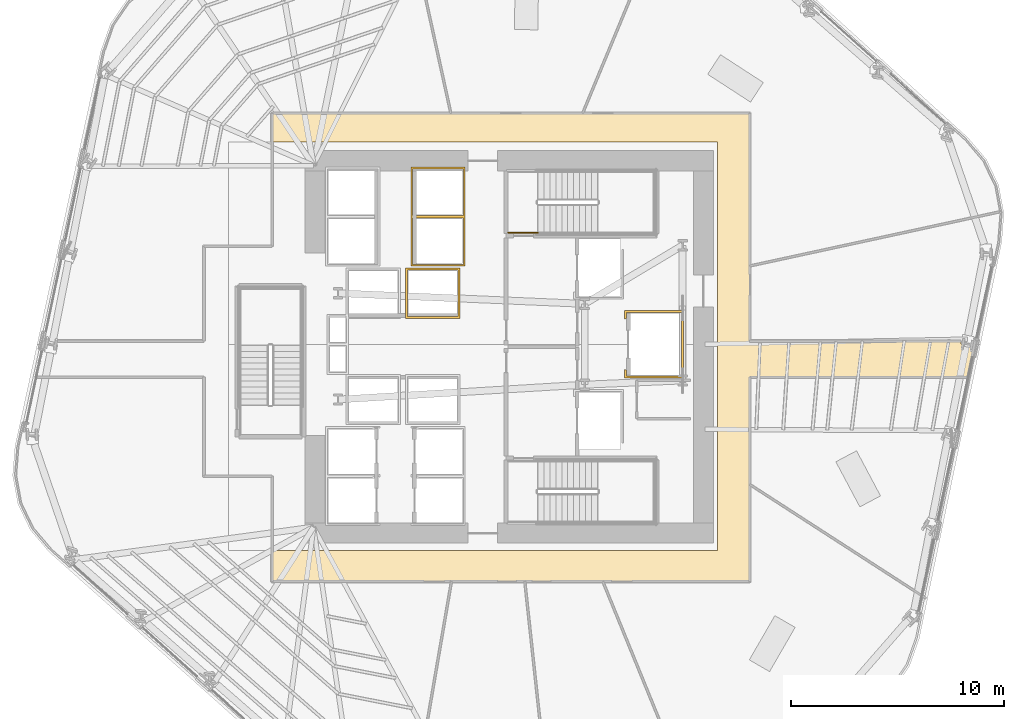
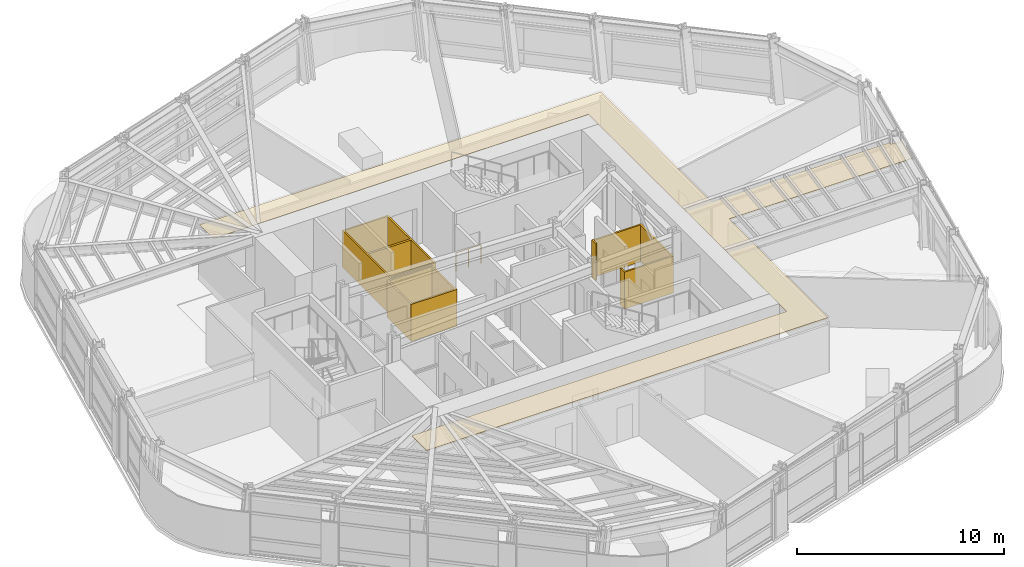
# One storey, part 13 of 16: 4 coverings, 1 railing.
"""IFC4 building model written with IfcOpenShell, lengths in metres."""

from ifc_helpers import new_model, si_unit, direction, frame, origin, origin_2d, place, context, subcontext, project, spatial, polyline, circle, outline, extrude, material, layer, layer_set, type_object, element, save


model = new_model("IFC4")

# Units and contexts
model_context = context("Model", 3, precision=1e-05, world=origin(), true_north=direction((0.0, 1.0)))
body_context = subcontext(model_context, "Body", "Model", "MODEL_VIEW")
ifc_project = project(units=[si_unit("LENGTHUNIT", "METRE"), si_unit("AREAUNIT", "SQUARE_METRE"), si_unit("VOLUMEUNIT", "CUBIC_METRE"), si_unit("PLANEANGLEUNIT", "RADIAN"), si_unit("MASSUNIT", "GRAM", prefix="KILO")], contexts=[model_context])

# Site, building, storey
site_placement = place(None, origin())
site = spatial("IfcSite", under=ifc_project, at=site_placement, CompositionType="ELEMENT")
building_placement = place(site_placement, origin())
building = spatial("IfcBuilding", under=site, at=building_placement, Name="Valkerne Bourse Tower", CompositionType="ELEMENT")
storey_placement = place(building_placement, frame((0.0, 0.0, 101.0)))
storey = spatial("IfcBuildingStorey", under=building, at=storey_placement, Name="L25", CompositionType="ELEMENT", Elevation=101.0)

# Coverings
ifc_material_1 = material(Name="Bronze Anodised Aluminium AA 6063-T6", Category="aluminium")
ifc_layer_1 = layer(ifc_material_1, 0.030029296875)
ifc_layer_set_1 = layer_set([ifc_layer_1], Name="Bronze Anodised Aluminium AA 6063-T6")
covering_type_1 = type_object("IfcCoveringType", Name="COV-CEIL-METAL", PredefinedType="CEILING", material=ifc_layer_set_1)
covering_1_placement = place(storey_placement, frame((0.0, 0.0, 3.22998046875)))
element("IfcCovering", 1, at=covering_1_placement, inside=storey, type_object=covering_type_1, Name="L25 Suspended Ceiling 01", PredefinedType="CEILING", context=body_context, shape_type="SweptSolid", body=[
    extrude(outline(polyline([(68.052001953125, 27.14599609375), (68.02734375, 27.029296875), (68.02734375, 27.02587890625), (68.554931640625, 26.916259765625), (68.60302734375, 27.14599609375), (68.69580078125, 27.14599609375), (68.34375, 25.4541015625), (58.095947265625, 25.4541015625), (58.095947265625, 15.85400390625), (35.654052734375, 15.85400390625), (35.654052734375, 17.300048828125), (56.60009765625, 17.300048828125), (56.60009765625, 36.5), (35.654052734375, 36.5), (35.654052734375, 37.845947265625), (58.095947265625, 37.845947265625), (58.095947265625, 27.14599609375), (68.052001953125, 27.14599609375)])), origin(), (0.0, 0.0, 1.0), 0.02490234375),
])
ifc_material_2 = material(Name="Gypsum Shaftwall Liner Board", Category="gypsum")
ifc_layer_2 = layer(ifc_material_2, 0.080078125)
ifc_layer_set_2 = layer_set([ifc_layer_2], Name="Gypsum Shaftwall Liner Board")
covering_type_2 = type_object("IfcCoveringType", Name="COV-SHF-CLAD", PredefinedType="CLADDING", material=ifc_layer_set_2)
covering_2_placement = place(storey_placement, origin())
element("IfcCovering", 2, at=covering_2_placement, inside=storey, type_object=covering_type_2, Name="L25 Hoistway & Riser Shaftwall Liner 08", PredefinedType="CLADDING", context=body_context, shape_type="SweptSolid", body=[
    extrude(outline(polyline([(54.97998046875, 25.419921875), (52.219970703125, 25.419921875), (52.219970703125, 25.81787109375), (52.227783203125, 25.814208984375), (52.269287109375, 25.79931640625), (52.31005859375, 25.789306640625), (52.31005859375, 25.510009765625), (54.889892578125, 25.510009765625), (54.889892578125, 28.489990234375), (52.31005859375, 28.489990234375), (52.31005859375, 28.210693359375), (52.269287109375, 28.20068359375), (52.227783203125, 28.185791015625), (52.219970703125, 28.18212890625), (52.219970703125, 28.580078125), (54.97998046875, 28.580078125), (54.97998046875, 25.419921875)])), origin(), (0.0, 0.0, 1.0), 2.179931640625),
])
covering_3_placement = place(storey_placement, origin())
element("IfcCovering", 3, at=covering_3_placement, inside=storey, type_object=covering_type_2, Name="L25 Hoistway & Riser Shaftwall Liner 09", PredefinedType="CLADDING", context=body_context, shape_type="SweptSolid", body=[
    extrude(outline(polyline([(44.47998046875, 28.219970703125), (41.919921875, 28.219970703125), (41.919921875, 30.580078125), (44.47998046875, 30.580078125), (44.47998046875, 28.219970703125)]), holes=[polyline([(42.010009765625, 30.489990234375), (42.010009765625, 28.31005859375), (44.389892578125, 28.31005859375), (44.389892578125, 30.489990234375), (42.010009765625, 30.489990234375)])]), origin(), (0.0, 0.0, 1.0), 2.179931640625),
])
covering_4_placement = place(storey_placement, origin())
element("IfcCovering", 4, at=covering_4_placement, inside=storey, type_object=covering_type_2, Name="L25 Hoistway & Riser Shaftwall Liner 11", PredefinedType="CLADDING", context=body_context, shape_type="SweptSolid", body=[
    extrude(outline(polyline([(44.72998046875, 35.330078125), (44.72998046875, 33.030029296875), (44.72998046875, 32.969970703125), (44.72998046875, 30.669921875), (42.169921875, 30.669921875), (42.169921875, 32.969970703125), (42.169921875, 33.030029296875), (42.169921875, 35.330078125), (44.72998046875, 35.330078125)]), holes=[polyline([(42.260009765625, 30.760009765625), (44.639892578125, 30.760009765625), (44.639892578125, 32.93994140625), (42.260009765625, 32.93994140625), (42.260009765625, 30.760009765625)]), polyline([(42.260009765625, 33.06005859375), (44.639892578125, 33.06005859375), (44.639892578125, 35.239990234375), (42.260009765625, 35.239990234375), (42.260009765625, 33.06005859375)])]), origin(), (0.0, 0.0, 1.0), 2.179931640625),
])

# Railing
ifc_material_3 = material(Name="Galvanised Painted Steel", Category="steel")
railing_type = type_object("IfcRailingType", Name="RLG-ST-GUARD-1120", PredefinedType="GUARDRAIL", material=ifc_material_3)
railing_placement = place(storey_placement, frame((46.75, 32.25, 0.0)))
element("IfcRailing", 5, at=railing_placement, inside=storey, type_object=railing_type, Name="L25 ST-2 stair guard 8", PredefinedType="GUARDRAIL", context=body_context, shape_type="SweptSolid", body=[
    extrude(circle(Radius=0.02392578125, at=origin_2d()), frame((0.0, 0.0, 1.09619140625), z_axis=(1.0, 0.0, 0.0), x_axis=(0.0, 1.0, 0.0)), (0.0, 0.0, 1.0), 1.39990234375),
    extrude(circle(Radius=0.02099609375, at=origin_2d()), origin(), (0.0, 0.0, 1.0), 1.072021484375),
    extrude(circle(Radius=0.02099609375, at=origin_2d()), frame((0.699951171875, 0.0, 0.0)), (0.0, 0.0, 1.0), 1.072021484375),
    extrude(circle(Radius=0.02099609375, at=origin_2d()), frame((1.39990234375, 0.0, 0.0)), (0.0, 0.0, 1.0), 1.072021484375),
])

save(model, "model.ifc")
